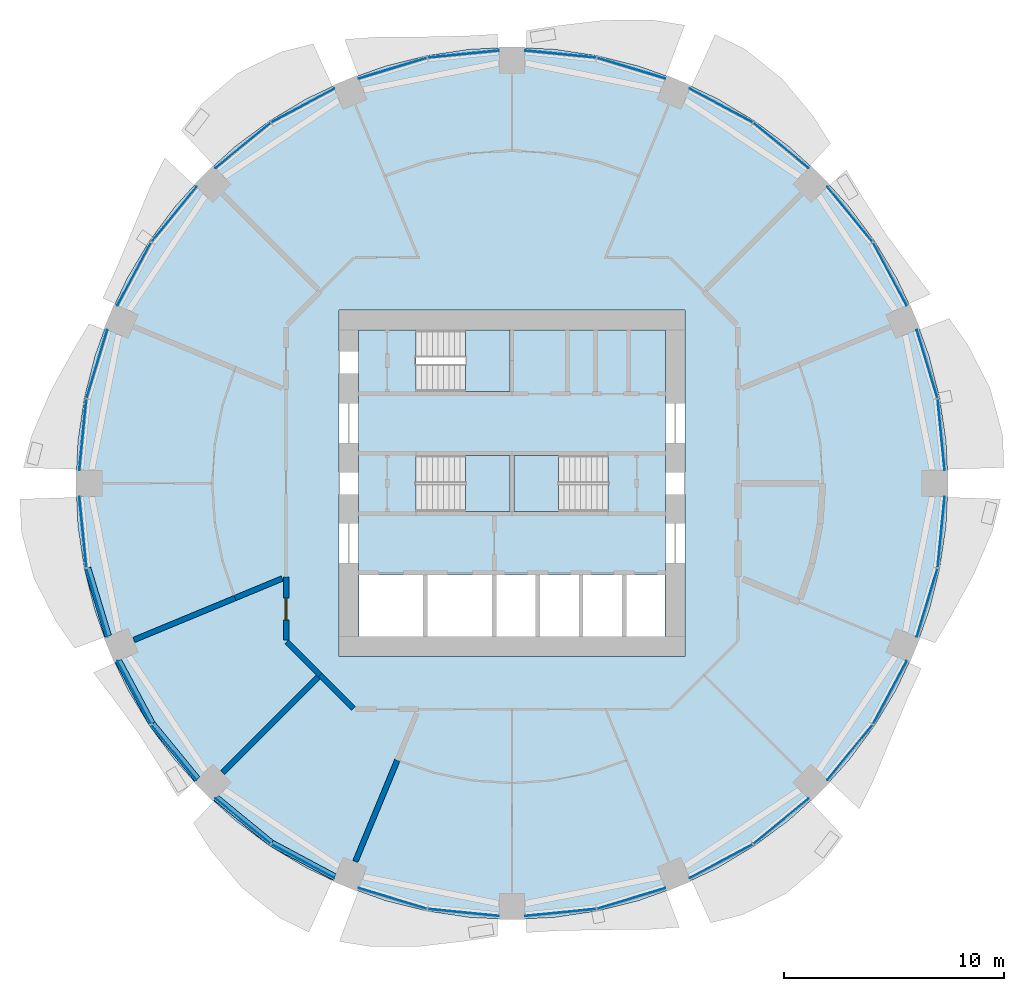
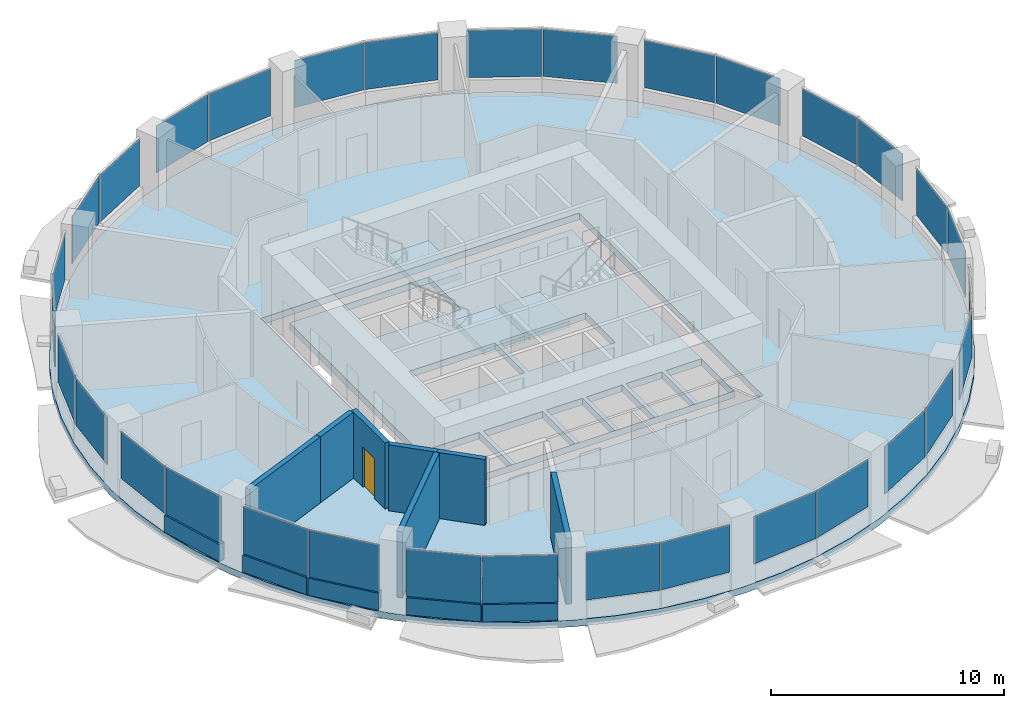
# One storey, part 7 of 15: 32 plates, 12 walls, 5 slabs, 1 door, 1 opening, 19 elements without a shape of their own.
"""IFC4 building model written with IfcOpenShell, lengths in metres."""

from ifc_helpers import new_model, si_unit, direction, frame, frame_2d, origin, origin_2d, place, context, subcontext, project, spatial, polyline, rectangle, outline, extrude, material, layer, layer_set, type_object, element, fill, aggregate, save


model = new_model("IFC4")

# Units and contexts
model_context = context("Model", 3, precision=1e-05, world=origin(), true_north=direction((0.0, 1.0)))
body_context = subcontext(model_context, "Body", "Model", "MODEL_VIEW")
ifc_project = project(units=[si_unit("LENGTHUNIT", "METRE"), si_unit("AREAUNIT", "SQUARE_METRE"), si_unit("VOLUMEUNIT", "CUBIC_METRE"), si_unit("PLANEANGLEUNIT", "RADIAN"), si_unit("MASSUNIT", "GRAM", prefix="KILO")], contexts=[model_context])

# Site, building, storey
site_placement = place(None, origin())
site = spatial("IfcSite", under=ifc_project, at=site_placement, CompositionType="ELEMENT")
building_placement = place(site_placement, origin())
building = spatial("IfcBuilding", under=site, at=building_placement, Name="Polderwave Tower", CompositionType="ELEMENT")
storey_placement = place(building_placement, frame((0.0, 0.0, 22.39990234375)))
storey = spatial("IfcBuildingStorey", under=building, at=storey_placement, Name="L05", CompositionType="ELEMENT", Elevation=22.39990234375)

# Slab
ifc_material_1 = material(Name="Concrete C40/50", Category="concrete")
ifc_layer_1 = layer(ifc_material_1, 0.35009765625)
ifc_layer_set_1 = layer_set([ifc_layer_1], Name="Core floor slab 350")
slab_type_1 = type_object("IfcSlabType", Name="Core floor slab 350", PredefinedType="FLOOR", material=ifc_layer_set_1)
slab_1_placement = place(storey_placement, frame((0.0, 0.0, -0.349853515625)))
element("IfcSlab", 1, at=slab_1_placement, inside=storey, type_object=slab_type_1, Name="L05 core floor", PredefinedType="FLOOR", context=body_context, shape_type="SweptSolid", body=[
    extrude(outline(polyline([(-6.97412109375, -6.97412109375), (6.97412109375, -6.97412109375), (6.97412109375, 6.97412109375), (-6.97412109375, 6.97412109375), (-6.97412109375, -6.97412109375)]), holes=[polyline([(-6.9541015625, -6.9541015625), (-4.037109375, -6.9541015625), (-4.037109375, -4.174072265625), (-6.9541015625, -4.174072265625), (-6.9541015625, -6.9541015625)]), polyline([(-3.8369140625, -6.9541015625), (-0.89990234375, -6.9541015625), (-0.89990234375, -4.174072265625), (-3.8369140625, -4.174072265625), (-3.8369140625, -6.9541015625)]), polyline([(-0.699951171875, -6.9541015625), (1.068603515625, -6.9541015625), (1.068603515625, -4.174072265625), (-0.699951171875, -4.174072265625), (-0.699951171875, -6.9541015625)]), polyline([(1.2685546875, -6.9541015625), (3.037109375, -6.9541015625), (3.037109375, -4.174072265625), (1.2685546875, -4.174072265625), (1.2685546875, -6.9541015625)]), polyline([(3.237060546875, -6.9541015625), (5.005615234375, -6.9541015625), (5.005615234375, -4.174072265625), (3.237060546875, -4.174072265625), (3.237060546875, -6.9541015625)]), polyline([(5.20556640625, -6.9541015625), (6.9541015625, -6.9541015625), (6.9541015625, -4.174072265625), (5.20556640625, -4.174072265625), (5.20556640625, -6.9541015625)]), polyline([(-4.37353515625, -1.2744140625), (-0.1005859375, -1.2744140625), (-0.1005859375, 1.2744140625), (-4.37353515625, 1.2744140625), (-4.37353515625, -1.2744140625)]), polyline([(0.1005859375, -1.2744140625), (4.37353515625, -1.2744140625), (4.37353515625, 1.2744140625), (0.1005859375, 1.2744140625), (0.1005859375, -1.2744140625)]), polyline([(-4.37353515625, 4.174560546875), (-0.1005859375, 4.174560546875), (-0.1005859375, 6.9541015625), (-4.37353515625, 6.9541015625), (-4.37353515625, 4.174560546875)])]), origin(), (0.0, 0.0, 1.0), 0.349853515625),
])

# Curtain wall, plates
ifc_material_2 = material(Name="Aluminium 6063-T6 and glass", Category="aluminium")
curtain_wall_type = type_object("IfcCurtainWallType", Name="Growing floor ribbon glazing wall", PredefinedType="NOTDEFINED", material=ifc_material_2)
curtain_wall_1_placement = place(storey_placement, origin())
curtain_wall_1 = element("IfcCurtainWall", 2, at=curtain_wall_1_placement, inside=storey, type_object=curtain_wall_type, Name="CW2 L05 00", PredefinedType="NOTDEFINED")
ifc_material_3 = material(Name="Glass, low-e laminated double glazing", Category="glass")
ifc_layer_2 = layer(ifc_material_3, 0.028076171875)
ifc_layer_set_2 = layer_set([ifc_layer_2], Name="Growing floor ribbon glazing glass panel 28 mm")
plate_type = type_object("IfcPlateType", Name="Growing floor ribbon glazing glass panel 28 mm", PredefinedType="CURTAIN_PANEL", material=ifc_layer_set_2)
plate_1_placement = place(storey_placement, frame((19.512451171875, 2.209716796875, 0.89990234375), z_axis=(0.0, 0.0, 1.0), x_axis=(-0.09801714033, 0.995184726672, 0.0)))
plate_1 = element("IfcPlate", 3, at=plate_1_placement, type_object=plate_type, Name="CW2 panel 1", PredefinedType="CURTAIN_PANEL", context=body_context, shape_type="SweptSolid", body=[
    extrude(rectangle(XDim=3.234619140625, YDim=0.028076171875, at=origin_2d()), origin(), (0.0, 0.0, 1.0), 2.469970703125),
])
plate_2_placement = place(storey_placement, frame((18.87255859375, 5.42529296875, 0.89990234375), z_axis=(0.0, 0.0, 1.0), x_axis=(-0.290381545973, 0.956910945574, 0.0)))
plate_2 = element("IfcPlate", 4, at=plate_2_placement, type_object=plate_type, Name="CW2 panel 2", PredefinedType="CURTAIN_PANEL", context=body_context, shape_type="SweptSolid", body=[
    extrude(rectangle(XDim=3.234619140625, YDim=0.028076171875, at=origin_2d()), origin(), (0.0, 0.0, 1.0), 2.469970703125),
])
aggregate(curtain_wall_1, [plate_1, plate_2])

curtain_wall_2_placement = place(storey_placement, origin())
curtain_wall_2 = element("IfcCurtainWall", 5, at=curtain_wall_2_placement, inside=storey, type_object=curtain_wall_type, Name="CW2 L05 01", PredefinedType="NOTDEFINED")
plate_3_placement = place(storey_placement, frame((17.181640625, 9.50830078125, 0.89990234375), z_axis=(0.0, 0.0, 1.0), x_axis=(-0.471430599824, 0.881903163363, 0.0)))
plate_3 = element("IfcPlate", 6, at=plate_3_placement, type_object=plate_type, Name="CW2 panel 1", PredefinedType="CURTAIN_PANEL", context=body_context, shape_type="SweptSolid", body=[
    extrude(rectangle(XDim=3.234619140625, YDim=0.028076171875, at=origin_2d()), origin(), (0.0, 0.0, 1.0), 2.469970703125),
])
plate_4_placement = place(storey_placement, frame((15.360107421875, 12.234619140625, 0.89990234375), z_axis=(0.0, 0.0, 1.0), x_axis=(-0.634321776089, 0.773069132989, 0.0)))
plate_4 = element("IfcPlate", 7, at=plate_4_placement, type_object=plate_type, Name="CW2 panel 2", PredefinedType="CURTAIN_PANEL", context=body_context, shape_type="SweptSolid", body=[
    extrude(rectangle(XDim=3.23486328125, YDim=0.028076171875, at=origin_2d()), origin(), (0.0, 0.0, 1.0), 2.469970703125),
])
aggregate(curtain_wall_2, [plate_3, plate_4])

curtain_wall_3_placement = place(storey_placement, origin())
curtain_wall_3 = element("IfcCurtainWall", 8, at=curtain_wall_3_placement, inside=storey, type_object=curtain_wall_type, Name="CW2 L05 02", PredefinedType="NOTDEFINED")
plate_5_placement = place(storey_placement, frame((12.234619140625, 15.360107421875, 0.89990234375), z_axis=(0.0, 0.0, 1.0), x_axis=(-0.773069132989, 0.634321776089, 0.0)))
plate_5 = element("IfcPlate", 9, at=plate_5_placement, type_object=plate_type, Name="CW2 panel 1", PredefinedType="CURTAIN_PANEL", context=body_context, shape_type="SweptSolid", body=[
    extrude(rectangle(XDim=3.23486328125, YDim=0.028076171875, at=origin_2d()), origin(), (0.0, 0.0, 1.0), 2.469970703125),
])
plate_6_placement = place(storey_placement, frame((9.50830078125, 17.181640625, 0.89990234375), z_axis=(0.0, 0.0, 1.0), x_axis=(-0.881903163363, 0.471430599824, 0.0)))
plate_6 = element("IfcPlate", 10, at=plate_6_placement, type_object=plate_type, Name="CW2 panel 2", PredefinedType="CURTAIN_PANEL", context=body_context, shape_type="SweptSolid", body=[
    extrude(rectangle(XDim=3.234619140625, YDim=0.028076171875, at=origin_2d()), origin(), (0.0, 0.0, 1.0), 2.469970703125),
])
aggregate(curtain_wall_3, [plate_5, plate_6])

curtain_wall_4_placement = place(storey_placement, origin())
curtain_wall_4 = element("IfcCurtainWall", 11, at=curtain_wall_4_placement, inside=storey, type_object=curtain_wall_type, Name="CW2 L05 03", PredefinedType="NOTDEFINED")
plate_7_placement = place(storey_placement, frame((5.42529296875, 18.87255859375, 0.89990234375), z_axis=(0.0, 0.0, 1.0), x_axis=(-0.956910945574, 0.290381545973, 0.0)))
plate_7 = element("IfcPlate", 12, at=plate_7_placement, type_object=plate_type, Name="CW2 panel 1", PredefinedType="CURTAIN_PANEL", context=body_context, shape_type="SweptSolid", body=[
    extrude(rectangle(XDim=3.234619140625, YDim=0.028076171875, at=origin_2d()), origin(), (0.0, 0.0, 1.0), 2.469970703125),
])
plate_8_placement = place(storey_placement, frame((2.209716796875, 19.512451171875, 0.89990234375), z_axis=(0.0, 0.0, 1.0), x_axis=(-0.995184726672, 0.09801714033, 0.0)))
plate_8 = element("IfcPlate", 13, at=plate_8_placement, type_object=plate_type, Name="CW2 panel 2", PredefinedType="CURTAIN_PANEL", context=body_context, shape_type="SweptSolid", body=[
    extrude(rectangle(XDim=3.234619140625, YDim=0.028076171875, at=origin_2d()), origin(), (0.0, 0.0, 1.0), 2.469970703125),
])
aggregate(curtain_wall_4, [plate_7, plate_8])

curtain_wall_5_placement = place(storey_placement, origin())
curtain_wall_5 = element("IfcCurtainWall", 14, at=curtain_wall_5_placement, inside=storey, type_object=curtain_wall_type, Name="CW2 L05 04", PredefinedType="NOTDEFINED")
plate_9_placement = place(storey_placement, frame((-2.209716796875, 19.512451171875, 0.89990234375), z_axis=(0.0, 0.0, 1.0), x_axis=(-0.995184726672, -0.09801714033, 0.0)))
plate_9 = element("IfcPlate", 15, at=plate_9_placement, type_object=plate_type, Name="CW2 panel 1", PredefinedType="CURTAIN_PANEL", context=body_context, shape_type="SweptSolid", body=[
    extrude(rectangle(XDim=3.234619140625, YDim=0.028076171875, at=origin_2d()), origin(), (0.0, 0.0, 1.0), 2.469970703125),
])
plate_10_placement = place(storey_placement, frame((-5.42529296875, 18.87255859375, 0.89990234375), z_axis=(0.0, 0.0, 1.0), x_axis=(-0.956910945574, -0.290381545973, 0.0)))
plate_10 = element("IfcPlate", 16, at=plate_10_placement, type_object=plate_type, Name="CW2 panel 2", PredefinedType="CURTAIN_PANEL", context=body_context, shape_type="SweptSolid", body=[
    extrude(rectangle(XDim=3.234619140625, YDim=0.028076171875, at=origin_2d()), origin(), (0.0, 0.0, 1.0), 2.469970703125),
])
aggregate(curtain_wall_5, [plate_9, plate_10])

curtain_wall_6_placement = place(storey_placement, origin())
curtain_wall_6 = element("IfcCurtainWall", 17, at=curtain_wall_6_placement, inside=storey, type_object=curtain_wall_type, Name="CW2 L05 05", PredefinedType="NOTDEFINED")
plate_11_placement = place(storey_placement, frame((-9.50830078125, 17.181640625, 0.89990234375), z_axis=(0.0, 0.0, 1.0), x_axis=(-0.881903163363, -0.471430599824, 0.0)))
plate_11 = element("IfcPlate", 18, at=plate_11_placement, type_object=plate_type, Name="CW2 panel 1", PredefinedType="CURTAIN_PANEL", context=body_context, shape_type="SweptSolid", body=[
    extrude(rectangle(XDim=3.234619140625, YDim=0.028076171875, at=origin_2d()), origin(), (0.0, 0.0, 1.0), 2.469970703125),
])
plate_12_placement = place(storey_placement, frame((-12.234619140625, 15.360107421875, 0.89990234375), z_axis=(0.0, 0.0, 1.0), x_axis=(-0.773069132989, -0.634321776089, 0.0)))
plate_12 = element("IfcPlate", 19, at=plate_12_placement, type_object=plate_type, Name="CW2 panel 2", PredefinedType="CURTAIN_PANEL", context=body_context, shape_type="SweptSolid", body=[
    extrude(rectangle(XDim=3.23486328125, YDim=0.028076171875, at=origin_2d()), origin(), (0.0, 0.0, 1.0), 2.469970703125),
])
aggregate(curtain_wall_6, [plate_11, plate_12])

curtain_wall_7_placement = place(storey_placement, origin())
curtain_wall_7 = element("IfcCurtainWall", 20, at=curtain_wall_7_placement, inside=storey, type_object=curtain_wall_type, Name="CW2 L05 06", PredefinedType="NOTDEFINED")
plate_13_placement = place(storey_placement, frame((-15.360107421875, 12.234619140625, 0.89990234375), z_axis=(0.0, 0.0, 1.0), x_axis=(-0.634321776089, -0.773069132989, 0.0)))
plate_13 = element("IfcPlate", 21, at=plate_13_placement, type_object=plate_type, Name="CW2 panel 1", PredefinedType="CURTAIN_PANEL", context=body_context, shape_type="SweptSolid", body=[
    extrude(rectangle(XDim=3.23486328125, YDim=0.028076171875, at=origin_2d()), origin(), (0.0, 0.0, 1.0), 2.469970703125),
])
plate_14_placement = place(storey_placement, frame((-17.181640625, 9.50830078125, 0.89990234375), z_axis=(0.0, 0.0, 1.0), x_axis=(-0.471430599824, -0.881903163363, 0.0)))
plate_14 = element("IfcPlate", 22, at=plate_14_placement, type_object=plate_type, Name="CW2 panel 2", PredefinedType="CURTAIN_PANEL", context=body_context, shape_type="SweptSolid", body=[
    extrude(rectangle(XDim=3.234619140625, YDim=0.028076171875, at=origin_2d()), origin(), (0.0, 0.0, 1.0), 2.469970703125),
])
aggregate(curtain_wall_7, [plate_13, plate_14])

curtain_wall_8_placement = place(storey_placement, origin())
curtain_wall_8 = element("IfcCurtainWall", 23, at=curtain_wall_8_placement, inside=storey, type_object=curtain_wall_type, Name="CW2 L05 07", PredefinedType="NOTDEFINED")
plate_15_placement = place(storey_placement, frame((-18.87255859375, 5.42529296875, 0.89990234375), z_axis=(0.0, 0.0, 1.0), x_axis=(-0.290381545973, -0.956910945574, 0.0)))
plate_15 = element("IfcPlate", 24, at=plate_15_placement, type_object=plate_type, Name="CW2 panel 1", PredefinedType="CURTAIN_PANEL", context=body_context, shape_type="SweptSolid", body=[
    extrude(rectangle(XDim=3.234619140625, YDim=0.028076171875, at=origin_2d()), origin(), (0.0, 0.0, 1.0), 2.469970703125),
])
plate_16_placement = place(storey_placement, frame((-19.512451171875, 2.209716796875, 0.89990234375), z_axis=(0.0, 0.0, 1.0), x_axis=(-0.09801714033, -0.995184726672, 0.0)))
plate_16 = element("IfcPlate", 25, at=plate_16_placement, type_object=plate_type, Name="CW2 panel 2", PredefinedType="CURTAIN_PANEL", context=body_context, shape_type="SweptSolid", body=[
    extrude(rectangle(XDim=3.234619140625, YDim=0.028076171875, at=origin_2d()), origin(), (0.0, 0.0, 1.0), 2.469970703125),
])
aggregate(curtain_wall_8, [plate_15, plate_16])

curtain_wall_9_placement = place(storey_placement, origin())
curtain_wall_9 = element("IfcCurtainWall", 26, at=curtain_wall_9_placement, inside=storey, type_object=curtain_wall_type, Name="CW2 L05 08", PredefinedType="NOTDEFINED")
plate_17_placement = place(storey_placement, frame((-19.512451171875, -2.209716796875, 0.89990234375), z_axis=(0.0, 0.0, 1.0), x_axis=(0.09801714033, -0.995184726672, 0.0)))
plate_17 = element("IfcPlate", 27, at=plate_17_placement, type_object=plate_type, Name="CW2 panel 1", PredefinedType="CURTAIN_PANEL", context=body_context, shape_type="SweptSolid", body=[
    extrude(rectangle(XDim=3.234619140625, YDim=0.028076171875, at=origin_2d()), origin(), (0.0, 0.0, 1.0), 2.469970703125),
])
plate_18_placement = place(storey_placement, frame((-18.87255859375, -5.42529296875, 0.89990234375), z_axis=(0.0, 0.0, 1.0), x_axis=(0.290381545973, -0.956910945574, 0.0)))
plate_18 = element("IfcPlate", 28, at=plate_18_placement, type_object=plate_type, Name="CW2 panel 2", PredefinedType="CURTAIN_PANEL", context=body_context, shape_type="SweptSolid", body=[
    extrude(rectangle(XDim=3.234619140625, YDim=0.028076171875, at=origin_2d()), origin(), (0.0, 0.0, 1.0), 2.469970703125),
])
aggregate(curtain_wall_9, [plate_17, plate_18])

curtain_wall_10_placement = place(storey_placement, origin())
curtain_wall_10 = element("IfcCurtainWall", 29, at=curtain_wall_10_placement, inside=storey, type_object=curtain_wall_type, Name="CW2 L05 09", PredefinedType="NOTDEFINED")
plate_19_placement = place(storey_placement, frame((-17.181640625, -9.50830078125, 0.89990234375), z_axis=(0.0, 0.0, 1.0), x_axis=(0.471430599824, -0.881903163363, 0.0)))
plate_19 = element("IfcPlate", 30, at=plate_19_placement, type_object=plate_type, Name="CW2 panel 1", PredefinedType="CURTAIN_PANEL", context=body_context, shape_type="SweptSolid", body=[
    extrude(rectangle(XDim=3.234619140625, YDim=0.028076171875, at=origin_2d()), origin(), (0.0, 0.0, 1.0), 2.469970703125),
])
plate_20_placement = place(storey_placement, frame((-15.360107421875, -12.234619140625, 0.89990234375), z_axis=(0.0, 0.0, 1.0), x_axis=(0.634321776089, -0.773069132989, 0.0)))
plate_20 = element("IfcPlate", 31, at=plate_20_placement, type_object=plate_type, Name="CW2 panel 2", PredefinedType="CURTAIN_PANEL", context=body_context, shape_type="SweptSolid", body=[
    extrude(rectangle(XDim=3.23486328125, YDim=0.028076171875, at=origin_2d()), origin(), (0.0, 0.0, 1.0), 2.469970703125),
])
aggregate(curtain_wall_10, [plate_19, plate_20])

curtain_wall_11_placement = place(storey_placement, origin())
curtain_wall_11 = element("IfcCurtainWall", 32, at=curtain_wall_11_placement, inside=storey, type_object=curtain_wall_type, Name="CW2 L05 10", PredefinedType="NOTDEFINED")
plate_21_placement = place(storey_placement, frame((-12.234619140625, -15.360107421875, 0.89990234375), z_axis=(0.0, 0.0, 1.0), x_axis=(0.773069132989, -0.634321776089, 0.0)))
plate_21 = element("IfcPlate", 33, at=plate_21_placement, type_object=plate_type, Name="CW2 panel 1", PredefinedType="CURTAIN_PANEL", context=body_context, shape_type="SweptSolid", body=[
    extrude(rectangle(XDim=3.23486328125, YDim=0.028076171875, at=origin_2d()), origin(), (0.0, 0.0, 1.0), 2.469970703125),
])
plate_22_placement = place(storey_placement, frame((-9.50830078125, -17.181640625, 0.89990234375), z_axis=(0.0, 0.0, 1.0), x_axis=(0.881903163363, -0.471430599824, 0.0)))
plate_22 = element("IfcPlate", 34, at=plate_22_placement, type_object=plate_type, Name="CW2 panel 2", PredefinedType="CURTAIN_PANEL", context=body_context, shape_type="SweptSolid", body=[
    extrude(rectangle(XDim=3.234619140625, YDim=0.028076171875, at=origin_2d()), origin(), (0.0, 0.0, 1.0), 2.469970703125),
])
aggregate(curtain_wall_11, [plate_21, plate_22])

curtain_wall_12_placement = place(storey_placement, origin())
curtain_wall_12 = element("IfcCurtainWall", 35, at=curtain_wall_12_placement, inside=storey, type_object=curtain_wall_type, Name="CW2 L05 11", PredefinedType="NOTDEFINED")
plate_23_placement = place(storey_placement, frame((-5.42529296875, -18.87255859375, 0.89990234375), z_axis=(0.0, 0.0, 1.0), x_axis=(0.956910945574, -0.290381545973, 0.0)))
plate_23 = element("IfcPlate", 36, at=plate_23_placement, type_object=plate_type, Name="CW2 panel 1", PredefinedType="CURTAIN_PANEL", context=body_context, shape_type="SweptSolid", body=[
    extrude(rectangle(XDim=3.234619140625, YDim=0.028076171875, at=origin_2d()), origin(), (0.0, 0.0, 1.0), 2.469970703125),
])
plate_24_placement = place(storey_placement, frame((-2.209716796875, -19.512451171875, 0.89990234375), z_axis=(0.0, 0.0, 1.0), x_axis=(0.995184726672, -0.09801714033, 0.0)))
plate_24 = element("IfcPlate", 37, at=plate_24_placement, type_object=plate_type, Name="CW2 panel 2", PredefinedType="CURTAIN_PANEL", context=body_context, shape_type="SweptSolid", body=[
    extrude(rectangle(XDim=3.234619140625, YDim=0.028076171875, at=origin_2d()), origin(), (0.0, 0.0, 1.0), 2.469970703125),
])
aggregate(curtain_wall_12, [plate_23, plate_24])

curtain_wall_13_placement = place(storey_placement, origin())
curtain_wall_13 = element("IfcCurtainWall", 38, at=curtain_wall_13_placement, inside=storey, type_object=curtain_wall_type, Name="CW2 L05 12", PredefinedType="NOTDEFINED")
plate_25_placement = place(storey_placement, frame((2.209716796875, -19.512451171875, 0.89990234375), z_axis=(0.0, 0.0, 1.0), x_axis=(0.995184726672, 0.09801714033, 0.0)))
plate_25 = element("IfcPlate", 39, at=plate_25_placement, type_object=plate_type, Name="CW2 panel 1", PredefinedType="CURTAIN_PANEL", context=body_context, shape_type="SweptSolid", body=[
    extrude(rectangle(XDim=3.234619140625, YDim=0.028076171875, at=origin_2d()), origin(), (0.0, 0.0, 1.0), 2.469970703125),
])
plate_26_placement = place(storey_placement, frame((5.42529296875, -18.87255859375, 0.89990234375), z_axis=(0.0, 0.0, 1.0), x_axis=(0.956910945574, 0.290381545973, 0.0)))
plate_26 = element("IfcPlate", 40, at=plate_26_placement, type_object=plate_type, Name="CW2 panel 2", PredefinedType="CURTAIN_PANEL", context=body_context, shape_type="SweptSolid", body=[
    extrude(rectangle(XDim=3.234619140625, YDim=0.028076171875, at=origin_2d()), origin(), (0.0, 0.0, 1.0), 2.469970703125),
])
aggregate(curtain_wall_13, [plate_25, plate_26])

curtain_wall_14_placement = place(storey_placement, origin())
curtain_wall_14 = element("IfcCurtainWall", 41, at=curtain_wall_14_placement, inside=storey, type_object=curtain_wall_type, Name="CW2 L05 13", PredefinedType="NOTDEFINED")
plate_27_placement = place(storey_placement, frame((9.50830078125, -17.181640625, 0.89990234375), z_axis=(0.0, 0.0, 1.0), x_axis=(0.881903163363, 0.471430599824, 0.0)))
plate_27 = element("IfcPlate", 42, at=plate_27_placement, type_object=plate_type, Name="CW2 panel 1", PredefinedType="CURTAIN_PANEL", context=body_context, shape_type="SweptSolid", body=[
    extrude(rectangle(XDim=3.234619140625, YDim=0.028076171875, at=origin_2d()), origin(), (0.0, 0.0, 1.0), 2.469970703125),
])
plate_28_placement = place(storey_placement, frame((12.234619140625, -15.360107421875, 0.89990234375), z_axis=(0.0, 0.0, 1.0), x_axis=(0.773069132989, 0.634321776089, 0.0)))
plate_28 = element("IfcPlate", 43, at=plate_28_placement, type_object=plate_type, Name="CW2 panel 2", PredefinedType="CURTAIN_PANEL", context=body_context, shape_type="SweptSolid", body=[
    extrude(rectangle(XDim=3.23486328125, YDim=0.028076171875, at=origin_2d()), origin(), (0.0, 0.0, 1.0), 2.469970703125),
])
aggregate(curtain_wall_14, [plate_27, plate_28])

curtain_wall_15_placement = place(storey_placement, origin())
curtain_wall_15 = element("IfcCurtainWall", 44, at=curtain_wall_15_placement, inside=storey, type_object=curtain_wall_type, Name="CW2 L05 14", PredefinedType="NOTDEFINED")
plate_29_placement = place(storey_placement, frame((15.360107421875, -12.234619140625, 0.89990234375), z_axis=(0.0, 0.0, 1.0), x_axis=(0.634321776089, 0.773069132989, 0.0)))
plate_29 = element("IfcPlate", 45, at=plate_29_placement, type_object=plate_type, Name="CW2 panel 1", PredefinedType="CURTAIN_PANEL", context=body_context, shape_type="SweptSolid", body=[
    extrude(rectangle(XDim=3.23486328125, YDim=0.028076171875, at=origin_2d()), origin(), (0.0, 0.0, 1.0), 2.469970703125),
])
plate_30_placement = place(storey_placement, frame((17.181640625, -9.50830078125, 0.89990234375), z_axis=(0.0, 0.0, 1.0), x_axis=(0.471430599824, 0.881903163363, 0.0)))
plate_30 = element("IfcPlate", 46, at=plate_30_placement, type_object=plate_type, Name="CW2 panel 2", PredefinedType="CURTAIN_PANEL", context=body_context, shape_type="SweptSolid", body=[
    extrude(rectangle(XDim=3.234619140625, YDim=0.028076171875, at=origin_2d()), origin(), (0.0, 0.0, 1.0), 2.469970703125),
])
aggregate(curtain_wall_15, [plate_29, plate_30])

curtain_wall_16_placement = place(storey_placement, origin())
curtain_wall_16 = element("IfcCurtainWall", 47, at=curtain_wall_16_placement, inside=storey, type_object=curtain_wall_type, Name="CW2 L05 15", PredefinedType="NOTDEFINED")
plate_31_placement = place(storey_placement, frame((18.87255859375, -5.42529296875, 0.89990234375), z_axis=(0.0, 0.0, 1.0), x_axis=(0.290381545973, 0.956910945574, 0.0)))
plate_31 = element("IfcPlate", 48, at=plate_31_placement, type_object=plate_type, Name="CW2 panel 1", PredefinedType="CURTAIN_PANEL", context=body_context, shape_type="SweptSolid", body=[
    extrude(rectangle(XDim=3.234619140625, YDim=0.028076171875, at=origin_2d()), origin(), (0.0, 0.0, 1.0), 2.469970703125),
])
plate_32_placement = place(storey_placement, frame((19.512451171875, -2.209716796875, 0.89990234375), z_axis=(0.0, 0.0, 1.0), x_axis=(0.09801714033, 0.995184726672, 0.0)))
plate_32 = element("IfcPlate", 49, at=plate_32_placement, type_object=plate_type, Name="CW2 panel 2", PredefinedType="CURTAIN_PANEL", context=body_context, shape_type="SweptSolid", body=[
    extrude(rectangle(XDim=3.234619140625, YDim=0.028076171875, at=origin_2d()), origin(), (0.0, 0.0, 1.0), 2.469970703125),
])
aggregate(curtain_wall_16, [plate_31, plate_32])

# Slab
ifc_layer_3 = layer(ifc_material_1, 0.35009765625)
ifc_layer_set_3 = layer_set([ifc_layer_3], Name="PT FLOOR SLAB 350 C40/50")
slab_type_2 = type_object("IfcSlabType", Name="PT FLOOR SLAB 350 C40/50", PredefinedType="FLOOR", material=ifc_layer_set_3)
slab_2_placement = place(storey_placement, frame((0.0, 0.0, -0.349853515625)))
element("IfcSlab", 50, at=slab_2_placement, inside=storey, type_object=slab_type_2, Name="ST-SLAB-L05", PredefinedType="FLOOR", context=body_context, shape_type="SweptSolid", body=[
    extrude(outline(polyline([(19.830078125, 0.0), (19.734619140625, 1.943603515625), (19.448974609375, 3.86865234375), (18.97607421875, 5.75634765625), (18.320556640625, 7.588623046875), (17.488525390625, 9.347900390625), (16.488037109375, 11.01708984375), (15.328857421875, 12.580078125), (14.02197265625, 14.02197265625), (12.580078125, 15.328857421875), (11.01708984375, 16.488037109375), (9.347900390625, 17.488525390625), (7.588623046875, 18.320556640625), (5.75634765625, 18.97607421875), (3.86865234375, 19.448974609375), (1.943603515625, 19.734619140625), (0.0, 19.830078125), (-1.943603515625, 19.734619140625), (-3.86865234375, 19.448974609375), (-5.75634765625, 18.97607421875), (-7.588623046875, 18.320556640625), (-9.347900390625, 17.488525390625), (-11.01708984375, 16.488037109375), (-12.580078125, 15.328857421875), (-14.02197265625, 14.02197265625), (-15.328857421875, 12.580078125), (-16.488037109375, 11.01708984375), (-17.488525390625, 9.347900390625), (-18.320556640625, 7.588623046875), (-18.97607421875, 5.75634765625), (-19.448974609375, 3.86865234375), (-19.734619140625, 1.943603515625), (-19.830078125, 0.0), (-19.734619140625, -1.943603515625), (-19.448974609375, -3.86865234375), (-18.97607421875, -5.75634765625), (-18.320556640625, -7.588623046875), (-17.488525390625, -9.347900390625), (-16.488037109375, -11.01708984375), (-15.328857421875, -12.580078125), (-14.02197265625, -14.02197265625), (-12.580078125, -15.328857421875), (-11.01708984375, -16.488037109375), (-9.347900390625, -17.488525390625), (-7.588623046875, -18.320556640625), (-5.75634765625, -18.97607421875), (-3.86865234375, -19.448974609375), (-1.943603515625, -19.734619140625), (0.0, -19.830078125), (1.943603515625, -19.734619140625), (3.86865234375, -19.448974609375), (5.75634765625, -18.97607421875), (7.588623046875, -18.320556640625), (9.347900390625, -17.488525390625), (11.01708984375, -16.488037109375), (12.580078125, -15.328857421875), (14.02197265625, -14.02197265625), (15.328857421875, -12.580078125), (16.488037109375, -11.01708984375), (17.488525390625, -9.347900390625), (18.320556640625, -7.588623046875), (18.97607421875, -5.75634765625), (19.448974609375, -3.86865234375), (19.734619140625, -1.943603515625), (19.830078125, 0.0)]), holes=[polyline([(-7.8740234375, -7.8740234375), (7.8740234375, -7.8740234375), (7.8740234375, 7.8740234375), (-7.8740234375, 7.8740234375), (-7.8740234375, -7.8740234375)])]), origin(), (0.0, 0.0, 1.0), 0.349853515625),
])

# Stair, slab
stair_type = type_object("IfcStairType", Name="Exit stair 1200 x 20 risers", PredefinedType="HALF_TURN_STAIR", material=ifc_material_1)
stair_1_placement = place(storey_placement, origin())
stair_1 = element("IfcStair", 51, at=stair_1_placement, inside=storey, type_object=stair_type, Name="L05 Exit stair A", PredefinedType="HALF_TURN_STAIR")
ifc_layer_4 = layer(ifc_material_1, 0.300048828125)
ifc_layer_set_4 = layer_set([ifc_layer_4], Name="Stair landing 300")
slab_type_3 = type_object("IfcSlabType", Name="Stair landing 300", PredefinedType="LANDING", material=ifc_layer_set_4)
slab_3_placement = place(storey_placement, frame((0.0, 0.0, 1.60009765625)))
slab_3 = element("IfcSlab", 52, at=slab_3_placement, type_object=slab_type_3, Name="ST-A landing 1", PredefinedType="LANDING", context=body_context, shape_type="SweptSolid", body=[
    extrude(outline(polyline([(-2.1240234375, -1.27490234375), (-0.10009765625, -1.27490234375), (-0.10009765625, 1.27490234375), (-2.1240234375, 1.27490234375), (-2.1240234375, -1.27490234375)])), origin(), (0.0, 0.0, 1.0), 0.300048828125),
])
aggregate(stair_1, [slab_3])

stair_2_placement = place(storey_placement, origin())
stair_2 = element("IfcStair", 53, at=stair_2_placement, inside=storey, type_object=stair_type, Name="L05 Exit stair B", PredefinedType="HALF_TURN_STAIR")
slab_4_placement = place(storey_placement, frame((0.0, 0.0, 1.60009765625)))
slab_4 = element("IfcSlab", 54, at=slab_4_placement, type_object=slab_type_3, Name="ST-B landing 1", PredefinedType="LANDING", context=body_context, shape_type="SweptSolid", body=[
    extrude(outline(polyline([(2.1240234375, 1.27490234375), (0.10009765625, 1.27490234375), (0.10009765625, -1.27490234375), (2.1240234375, -1.27490234375), (2.1240234375, 1.27490234375)])), origin(), (0.0, 0.0, 1.0), 0.300048828125),
])
aggregate(stair_2, [slab_4])

stair_3_placement = place(storey_placement, origin())
stair_3 = element("IfcStair", 55, at=stair_3_placement, inside=storey, type_object=stair_type, Name="L05 Exit stair C", PredefinedType="HALF_TURN_STAIR")
slab_5_placement = place(storey_placement, frame((0.0, 0.0, 1.60009765625)))
slab_5 = element("IfcSlab", 56, at=slab_5_placement, type_object=slab_type_3, Name="ST-C landing 1", PredefinedType="LANDING", context=body_context, shape_type="SweptSolid", body=[
    extrude(outline(polyline([(-2.1240234375, 4.174072265625), (-0.10009765625, 4.174072265625), (-0.10009765625, 6.97412109375), (-2.1240234375, 6.97412109375), (-2.1240234375, 4.174072265625)])), origin(), (0.0, 0.0, 1.0), 0.300048828125),
])
aggregate(stair_3, [slab_5])

# Walls
ifc_material_4 = material(Name="Concrete C50/60 (board-marked)", Category="concrete")
ifc_layer_5 = layer(ifc_material_4, 0.300048828125)
ifc_layer_set_5 = layer_set([ifc_layer_5], Name="Concrete spandrel upstand C50/60")
wall_type_1 = type_object("IfcWallType", Name="Concrete spandrel upstand C50/60", PredefinedType="SOLIDWALL", material=ifc_layer_set_5)
wall_1_placement = place(storey_placement, frame((-19.297607421875, -3.853515625, 0.0), z_axis=(0.0, 0.0, 1.0), x_axis=(0.290505111592, -0.95687343998, 0.0)))
element("IfcWall", 57, at=wall_1_placement, inside=storey, type_object=wall_type_1, Name="Spandrel L05 9b", PredefinedType="SOLIDWALL", context=body_context, shape_type="SweptSolid", body=[
    extrude(rectangle(XDim=3.226318359375, YDim=0.300048828125, at=frame_2d((1.61328125, 0.0))), origin(), (0.0, 0.0, 1.0), 0.900146484375),
])
for number, where, z_axis, x_axis, name in (
    (58, (-17.890869140625, -8.07421875, 0.0), (0.0, 0.0, 1.0), (0.471322475968, -0.881960953585, 0.0), "Spandrel L05 10a"),
    (59, (-16.353515625, -10.944580078125, 0.0), (0.0, 0.0, 1.0), (0.634098591004, -0.773252207812, 0.0), "Spandrel L05 10b"),
    (60, (-13.439453125, -14.3076171875, 0.0), (0.0, 0.0, 1.0), (0.773252207812, -0.634098591004, 0.0), "Spandrel L05 11a"),
    (61, (-10.919921875, -16.3701171875, 0.0), (0.0, 0.0, 1.0), (0.881960953585, -0.471322475968, 0.0), "Spandrel L05 11b"),
):
    element("IfcWall", number, at=place(storey_placement, frame(where, z_axis=z_axis, x_axis=x_axis)), inside=storey, type_object=wall_type_1, Name=name, PredefinedType="SOLIDWALL", context=body_context, shape_type="SweptSolid", body=[
        extrude(rectangle(XDim=3.2265625, YDim=0.300048828125, at=frame_2d((1.61328125, 0.0))), origin(), (0.0, 0.0, 1.0), 0.900146484375),
    ])

# Wall, opening, door
ifc_material_5 = material(Name="Fire-resisting board on steel studs, mineral wool", Category="steel")
ifc_layer_6 = layer(ifc_material_5, 0.25)
ifc_layer_set_6 = layer_set([ifc_layer_6], Name="Plant room wall 250 mm EI 120")
wall_type_2 = type_object("IfcWallType", Name="Plant room wall 250 mm EI 120", PredefinedType="PARTITIONING", material=ifc_layer_set_6)
wall_2_placement = place(storey_placement, frame((-10.27392578125, -7.119384765625, 0.0), z_axis=(0.0, 0.0, 1.0), x_axis=(0.0, 1.0, 0.0)))
wall_2 = element("IfcWall", 62, at=wall_2_placement, inside=storey, type_object=wall_type_2, Name="IN-L05-W014", PredefinedType="PARTITIONING", context=body_context, shape_type="SweptSolid", body=[
    extrude(rectangle(XDim=2.86376953125, YDim=0.25, at=frame_2d((1.431884765625, 0.0))), origin(), (0.0, 0.0, 1.0), 3.4501953125),
])
opening_placement = place(wall_2_placement, frame((0.89990234375, 0.0, 0.0)))
opening = element("IfcOpeningElement", 63, at=opening_placement, cuts=wall_2, Name="Opening L05-D58", PredefinedType="OPENING", context=body_context, shape_type="SweptSolid", body=[
    extrude(rectangle(XDim=1.0, YDim=2.10009765625, at=frame_2d((0.5, 1.050048828125))), frame((0.0, 0.135009765625, 0.0), z_axis=(0.0, -1.0, 0.0), x_axis=(1.0, 0.0, 0.0)), (0.0, 0.0, 1.0), 0.27001953125),
])
ifc_material_6 = material(Name="Steel plant door leaf", Category="steel")
door_type = type_object("IfcDoorType", Name="Plant door FD60 1000 x 2100 steel", OperationType="NOTDEFINED", PredefinedType="DOOR", material=ifc_material_6)
door_placement = place(opening_placement, origin())
door = element("IfcDoor", 64, at=door_placement, inside=storey, type_object=door_type, Name="Door L05-D58", OperationType="SINGLE_SWING_LEFT", OverallHeight=2.10009765625, OverallWidth=1.0, PredefinedType="DOOR", context=body_context, shape_type="SweptSolid", body=[
    extrude(rectangle(XDim=1.0, YDim=2.10009765625, at=frame_2d((0.5, 1.050048828125))), frame((0.0, 0.02490234375, 0.0), z_axis=(0.0, -1.0, 0.0), x_axis=(1.0, 0.0, 0.0)), (0.0, 0.0, 1.0), 0.050048828125),
])
fill(opening, door)

# Walls
for number, where, z_axis, x_axis, name in (
    (65, (-8.722412109375, -8.722412109375, 0.0), (0.0, 0.0, 1.0), (-0.707163762272, 0.707049795509, 0.0), "IN-L05-W015"),
    (66, (-7.207763671875, -10.2373046875, 0.0), (0.0, 0.0, 1.0), (-0.707049795509, 0.707163762272, 0.0), "IN-L05-W016"),
):
    element("IfcWall", number, at=place(storey_placement, frame(where, z_axis=z_axis, x_axis=x_axis)), inside=storey, type_object=wall_type_2, Name=name, PredefinedType="PARTITIONING", context=body_context, shape_type="SweptSolid", body=[
        extrude(rectangle(XDim=2.14208984375, YDim=0.25, at=frame_2d((1.071044921875, 0.0))), origin(), (0.0, 0.0, 1.0), 3.4501953125),
    ])
wall_3_placement = place(storey_placement, frame((-10.44677734375, -4.3271484375, 0.0), z_axis=(0.0, 0.0, 1.0), x_axis=(-0.923898968867, -0.382636505481, 0.0)))
element("IfcWall", 67, at=wall_3_placement, inside=storey, type_object=wall_type_2, Name="IN-L05-W054", PredefinedType="PARTITIONING", context=body_context, shape_type="SweptSolid", body=[
    extrude(rectangle(XDim=2.322509765625, YDim=0.25, at=frame_2d((1.1611328125, 0.0))), origin(), (0.0, 0.0, 1.0), 3.4501953125),
])
wall_4_placement = place(storey_placement, frame((-12.592529296875, -5.216064453125, 0.0), z_axis=(0.0, 0.0, 1.0), x_axis=(-0.92388152058, -0.382678632707, 0.0)))
element("IfcWall", 68, at=wall_4_placement, inside=storey, type_object=wall_type_2, Name="IN-L05-W055", PredefinedType="PARTITIONING", context=body_context, shape_type="SweptSolid", body=[
    extrude(rectangle(XDim=4.969970703125, YDim=0.25, at=frame_2d((2.48486328125, 0.0))), origin(), (0.0, 0.0, 1.0), 3.4501953125),
])
wall_5_placement = place(storey_placement, frame((-13.152099609375, -13.152099609375, 0.0), z_axis=(0.0, 0.0, 1.0), x_axis=(0.707106781187, 0.707106781187, 0.0)))
element("IfcWall", 69, at=wall_5_placement, inside=storey, type_object=wall_type_2, Name="IN-L05-W056", PredefinedType="PARTITIONING", context=body_context, shape_type="SweptSolid", body=[
    extrude(rectangle(XDim=6.1396484375, YDim=0.25, at=frame_2d((3.06982421875, 0.0))), origin(), (0.0, 0.0, 1.0), 3.4501953125),
])
wall_6_placement = place(storey_placement, frame((-5.2158203125, -12.592529296875, 0.0), z_axis=(0.0, 0.0, 1.0), x_axis=(-0.382720561955, -0.923864152058, 0.0)))
element("IfcWall", 70, at=wall_6_placement, inside=storey, type_object=wall_type_2, Name="IN-L05-W058", PredefinedType="PARTITIONING", context=body_context, shape_type="SweptSolid", body=[
    extrude(rectangle(XDim=4.969970703125, YDim=0.25, at=frame_2d((2.48486328125, 0.0))), origin(), (0.0, 0.0, 1.0), 3.4501953125),
])

save(model, "model.ifc")
